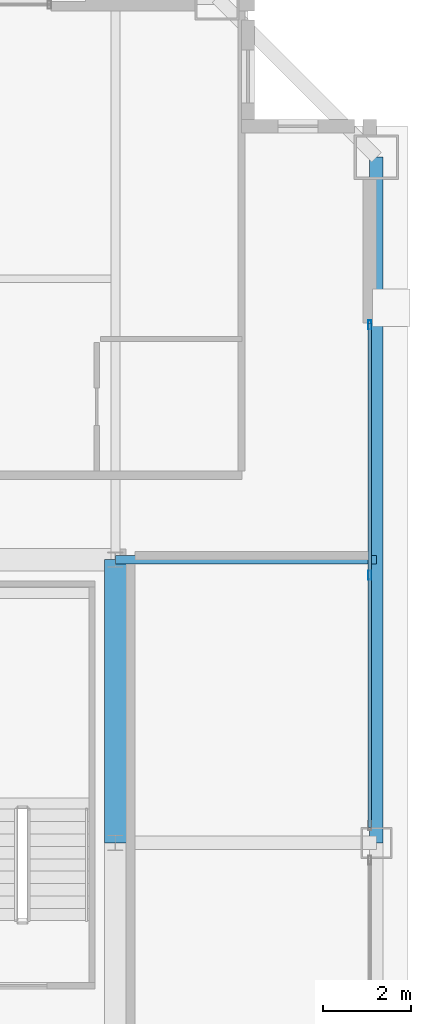
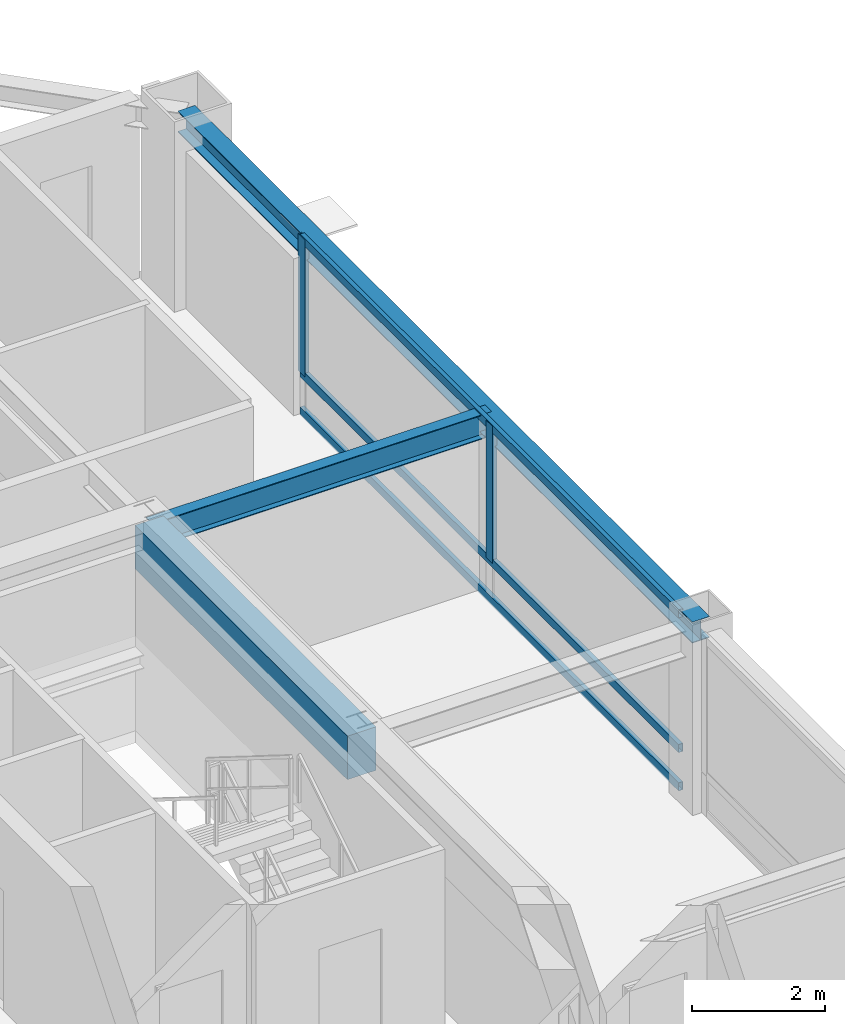
# One storey, part 15 of 34: 5 members, 3 beams, 1 element without a shape of its own.
"""IFC4 building model written with IfcOpenShell, lengths in metres."""

from ifc_helpers import new_model, si_unit, direction, frame, origin, origin_2d, place, context, subcontext, project, spatial, rectangle, hollow_rectangle, i_section, extrude, source, transform, mapped, material, layer, layer_set, material_profile, profile_set, type_object, element, aggregate, save


model = new_model("IFC4")

# Units and contexts
model_context = context("Model", 3, precision=1e-05, world=origin(), true_north=direction((0.0, 1.0)))
body_context = subcontext(model_context, "Body", "Model", "MODEL_VIEW")
ifc_project = project(units=[si_unit("LENGTHUNIT", "METRE"), si_unit("AREAUNIT", "SQUARE_METRE"), si_unit("VOLUMEUNIT", "CUBIC_METRE"), si_unit("PLANEANGLEUNIT", "RADIAN"), si_unit("MASSUNIT", "GRAM", prefix="KILO"), si_unit("THERMODYNAMICTEMPERATUREUNIT", "KELVIN"), si_unit("POWERUNIT", "WATT")], contexts=[model_context])

# Site, building, storey
site_placement = place(None, origin())
site = spatial("IfcSite", under=ifc_project, at=site_placement, CompositionType="ELEMENT")
building_placement = place(site_placement, origin())
building = spatial("IfcBuilding", under=site, at=building_placement, Name="Yuzanri Waterfront Tower", CompositionType="ELEMENT")
storey_placement = place(building_placement, frame((0.0, 0.0, 325.199951171875)))
storey = spatial("IfcBuildingStorey", under=building, at=storey_placement, Name="L87", CompositionType="ELEMENT", Elevation=325.199951171875)

# Beams
ifc_material_1 = material(Name="Concrete C50", Category="concrete")
ifc_material_profile_1 = material_profile(ifc_material_1, rectangle(XDim=0.5, YDim=0.800048828125, at=origin_2d()), Name="RC 500x800")
ifc_profile_set_1 = profile_set([ifc_material_profile_1], Name="Concrete C50")
beam_type_1 = type_object("IfcBeamType", Name="Core Coupling Lintel Concrete C50 500x800", PredefinedType="LINTEL", material=ifc_profile_set_1)
shared_shape_1 = source(origin(), body_context, "Body", "SweptSolid", [
    extrude(rectangle(XDim=0.5, YDim=0.800048828125, at=origin_2d()), origin(), (0.0, 0.0, 1.0), 6.39990234375),
])
beam_1_placement = place(storey_placement, frame((50.199951171875, 25.800048828125, 2.880126953125), z_axis=(0.0, 1.0, 0.0), x_axis=(-1.0, 0.0, 0.0)))
element("IfcBeam", 1, at=beam_1_placement, inside=storey, type_object=beam_type_1, Name="L87 Core Tie Beam CE2", PredefinedType="LINTEL", context=body_context, shape_type="MappedRepresentation", body=[
    mapped(shared_shape_1, transform((0.0, 0.0, 0.0), scale=1.0)),
])
ifc_material_2 = material(Name="Steel Q355B", Category="steel")
ifc_material_profile_2 = material_profile(ifc_material_2, i_section(OverallWidth=0.300048828125, OverallDepth=0.389892578125, WebThickness=0.010009765625, FlangeThickness=0.01611328125, at=origin_2d()), Name="HM 390x300x10x16")
ifc_profile_set_2 = profile_set([ifc_material_profile_2], Name="Steel Q355B")
beam_type_2 = type_object("IfcBeamType", Name="Perimeter Spandrel Q355B HM 390x300", PredefinedType="SPANDREL", material=ifc_profile_set_2)
shared_shape_2 = source(origin(), body_context, "Body", "SweptSolid", [
    extrude(i_section(OverallWidth=0.300048828125, OverallDepth=0.389892578125, WebThickness=0.010009765625, FlangeThickness=0.01611328125, at=origin_2d()), origin(), (0.0, 0.0, 1.0), 15.5),
])
beam_2_placement = place(storey_placement, frame((56.10009765625, 25.800048828125, 3.0849609375), z_axis=(0.0, 1.0, 0.0), x_axis=(-1.0, 0.0, 0.0)))
element("IfcBeam", 2, at=beam_2_placement, inside=storey, type_object=beam_type_2, Name="L87 Perimeter Spandrel E2-E3", PredefinedType="SPANDREL", context=body_context, shape_type="MappedRepresentation", body=[
    mapped(shared_shape_2, transform((0.0, 0.0, 0.0), scale=1.0)),
])
ifc_material_3 = material(Name="Steel Q355B", Category="steel")
ifc_material_profile_3 = material_profile(ifc_material_3, i_section(OverallWidth=0.199951171875, OverallDepth=0.449951171875, WebThickness=0.009033203125, FlangeThickness=0.013916015625, at=origin_2d()), Name="HN 450x200x9x14")
ifc_profile_set_3 = profile_set([ifc_material_profile_3], Name="Steel Q355B")
beam_type_3 = type_object("IfcBeamType", Name="Secondary Floor Beam Q355B HN 450x200", PredefinedType="BEAM", material=ifc_profile_set_3)
shared_shape_3 = source(origin(), body_context, "Body", "SweptSolid", [
    extrude(i_section(OverallWidth=0.199951171875, OverallDepth=0.449951171875, WebThickness=0.009033203125, FlangeThickness=0.013916015625, at=origin_2d()), origin(), (0.0, 0.0, 1.0), 5.900146484375),
])
beam_3_placement = place(storey_placement, frame((50.199951171875, 32.199951171875, 3.054931640625), z_axis=(1.0, 0.0, 0.0), x_axis=(0.0, 1.0, 0.0)))
element("IfcBeam", 3, at=beam_3_placement, inside=storey, type_object=beam_type_3, Name="L87 East-North Core Line Beam", PredefinedType="BEAM", context=body_context, shape_type="MappedRepresentation", body=[
    mapped(shared_shape_3, transform((0.0, 0.0, 0.0), scale=1.0)),
])

# Curtain wall, members
ifc_material_4 = material(Name="Anodized Architectural Bronze", Category="metal")
ifc_layer = layer(ifc_material_4, 0.159912109375)
ifc_layer_set = layer_set([ifc_layer], Name="Anodized Architectural Bronze")
curtain_wall_type = type_object("IfcCurtainWallType", Name="Anodized Bronze High-Rise Penthouse High-Wind Unitized Curtain Wall 6900", PredefinedType="NOTDEFINED", material=ifc_layer_set)
curtain_wall_placement = place(storey_placement, origin())
curtain_wall = element("IfcCurtainWall", 4, at=curtain_wall_placement, inside=storey, type_object=curtain_wall_type, Name="L87 Curtain Wall CW-L87-ER", PredefinedType="NOTDEFINED")
ifc_material_5 = material(Name="Anodized Architectural Bronze", Category="metal")
ifc_material_profile_4 = material_profile(ifc_material_5, hollow_rectangle(XDim=0.074951171875, YDim=0.199951171875, WallThickness=0.00390625, at=origin_2d()), Name="CWM 75x200")
ifc_profile_set_4 = profile_set([ifc_material_profile_4], Name="Anodized Architectural Bronze")
member_type_1 = type_object("IfcMemberType", Name="Anodized Bronze Primary Curtain-Wall Mullion 75x200", PredefinedType="MULLION", material=ifc_profile_set_4)
shared_shape_4 = source(origin(), body_context, "Body", "SweptSolid", [
    extrude(hollow_rectangle(XDim=0.074951171875, YDim=0.199951171875, WallThickness=0.00390625, at=origin_2d()), origin(), (0.0, 0.0, 1.0), 2.52392578125),
])
member_1_placement = place(storey_placement, frame((55.949951171875, 31.85009765625, 0.756103515625), z_axis=(0.0, 0.0, 1.0), x_axis=(1.0, 0.0, 0.0)))
member_1 = element("IfcMember", 5, at=member_1_placement, type_object=member_type_1, Name="CW-L87-ER Upper Mullion 01", PredefinedType="MULLION", context=body_context, shape_type="MappedRepresentation", body=[
    mapped(shared_shape_4, transform((0.0, 0.0, 0.0), scale=1.0)),
])
member_2_placement = place(storey_placement, frame((55.949951171875, 37.510009765625, 0.756103515625), z_axis=(0.0, 0.0, 1.0), x_axis=(1.0, 0.0, 0.0)))
member_2 = element("IfcMember", 6, at=member_2_placement, type_object=member_type_1, Name="CW-L87-ER Upper Mullion 02", PredefinedType="MULLION", context=body_context, shape_type="MappedRepresentation", body=[
    mapped(shared_shape_4, transform((0.0, 0.0, 0.0), scale=1.0)),
])
ifc_material_6 = material(Name="Anodized Architectural Bronze", Category="metal")
ifc_material_profile_5 = material_profile(ifc_material_6, hollow_rectangle(XDim=0.074951171875, YDim=0.14990234375, WallThickness=0.00390625, at=origin_2d()), Name="CWT 75x150")
ifc_profile_set_5 = profile_set([ifc_material_profile_5], Name="Anodized Architectural Bronze")
member_type_2 = type_object("IfcMemberType", Name="Anodized Bronze Primary Curtain-Wall Transom 75x150", PredefinedType="USERDEFINED", material=ifc_profile_set_5)
shared_shape_5 = source(origin(), body_context, "Body", "SweptSolid", [
    extrude(hollow_rectangle(XDim=0.074951171875, YDim=0.14990234375, WallThickness=0.00390625, at=origin_2d()), origin(), (0.0, 0.0, 1.0), 11.400146484375),
])
member_3_placement = place(storey_placement, frame((55.949951171875, 26.14990234375, 0.050048828125), z_axis=(0.0, 1.0, 0.0), x_axis=(-1.0, 0.0, 0.0)))
member_3 = element("IfcMember", 7, at=member_3_placement, type_object=member_type_2, Name="CW-L87-ER Transom 1", ObjectType="TRANSOM", PredefinedType="USERDEFINED", context=body_context, shape_type="MappedRepresentation", body=[
    mapped(shared_shape_5, transform((0.0, 0.0, 0.0), scale=1.0)),
])
member_4_placement = place(storey_placement, frame((55.949951171875, 26.14990234375, 0.754150390625), z_axis=(0.0, 1.0, 0.0), x_axis=(-1.0, 0.0, 0.0)))
member_4 = element("IfcMember", 8, at=member_4_placement, type_object=member_type_2, Name="CW-L87-ER Transom 2", ObjectType="TRANSOM", PredefinedType="USERDEFINED", context=body_context, shape_type="MappedRepresentation", body=[
    mapped(shared_shape_5, transform((0.0, 0.0, 0.0), scale=1.0)),
])
member_5_placement = place(storey_placement, frame((55.949951171875, 26.14990234375, 3.22998046875), z_axis=(0.0, 1.0, 0.0), x_axis=(-1.0, 0.0, 0.0)))
member_5 = element("IfcMember", 9, at=member_5_placement, type_object=member_type_2, Name="CW-L87-ER Transom 3", ObjectType="TRANSOM", PredefinedType="USERDEFINED", context=body_context, shape_type="MappedRepresentation", body=[
    mapped(shared_shape_5, transform((0.0, 0.0, 0.0), scale=1.0)),
])
aggregate(curtain_wall, [member_1, member_2, member_3, member_4, member_5])

save(model, "model.ifc")
